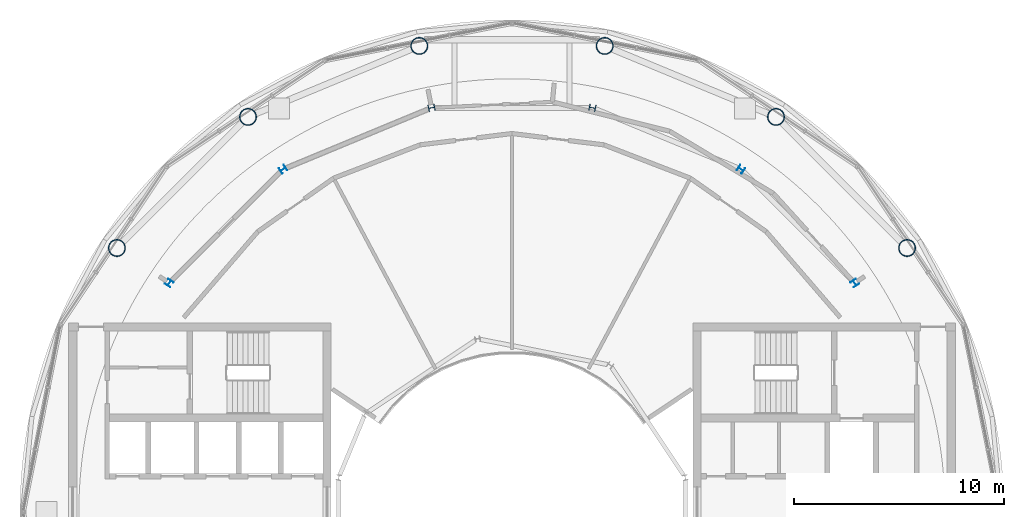
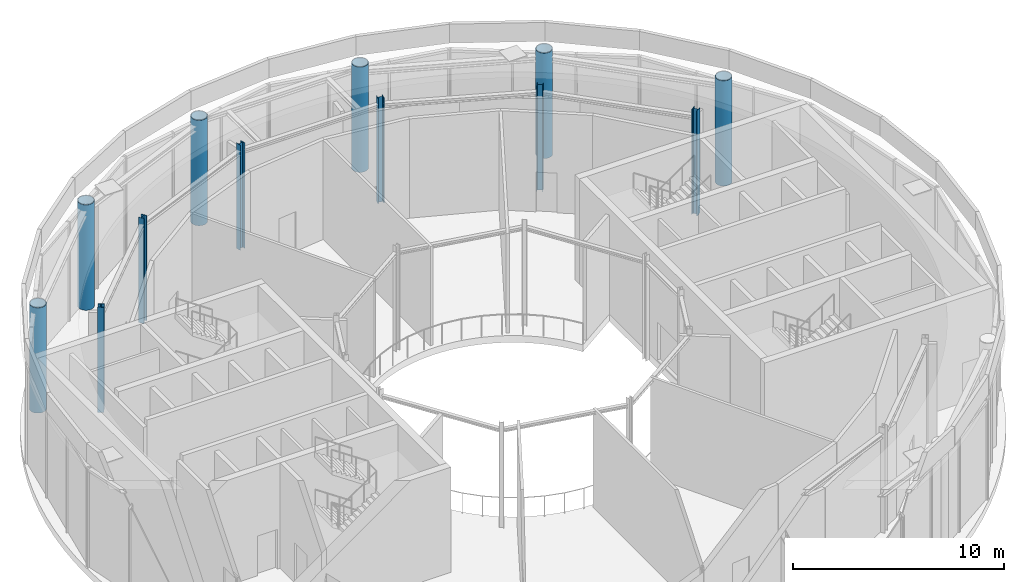
# One storey, part 4 of 20: 12 columns.
"""IFC4 building model written with IfcOpenShell, lengths in metres."""

from ifc_helpers import new_model, si_unit, direction, frame, origin, origin_2d, place, context, subcontext, project, spatial, hollow_circle, i_section, extrude, material, material_profile, profile_set, type_object, element, save


model = new_model("IFC4")

# Units and contexts
model_context = context("Model", 3, precision=1e-05, world=origin(), true_north=direction((0.0, 1.0)))
body_context = subcontext(model_context, "Body", "Model", "MODEL_VIEW")
ifc_project = project(units=[si_unit("LENGTHUNIT", "METRE"), si_unit("AREAUNIT", "SQUARE_METRE"), si_unit("VOLUMEUNIT", "CUBIC_METRE"), si_unit("PLANEANGLEUNIT", "RADIAN"), si_unit("MASSUNIT", "GRAM", prefix="KILO")], contexts=[model_context])

# Site, building, storey
site_placement = place(None, origin())
site = spatial("IfcSite", under=ifc_project, at=site_placement, CompositionType="ELEMENT")
building_placement = place(site_placement, origin())
building = spatial("IfcBuilding", under=site, at=building_placement, Name="Maasbend Ring Residences", CompositionType="ELEMENT")
storey_placement = place(building_placement, frame((0.0, 0.0, 255.39990234375)))
storey = spatial("IfcBuildingStorey", under=building, at=storey_placement, Name="L74", CompositionType="ELEMENT", Elevation=255.39990234375)

# Columns
ifc_material_1 = material(Name="Composite concrete-filled steel tube S460NH / C80/95", Category="concrete")
ifc_material_profile_1 = material_profile(ifc_material_1, hollow_circle(Radius=0.406494140625, WallThickness=0.030029296875, at=origin_2d()), Name="Composite tube column CHS 813x30")
ifc_profile_set_1 = profile_set([ifc_material_profile_1], Name="Composite concrete-filled steel tube S460NH / C80/95")
column_type_1 = type_object("IfcColumnType", Name="Composite tube column CHS 813x30", PredefinedType="COLUMN", material=ifc_profile_set_1)
for number, where, z_axis, x_axis, name in (
    (1, (18.791259765625, 12.555908203125, 0.0), (0.0, 0.0, 1.0), (1.0, 0.0, 0.0), "Outer column R2"),
    (2, (12.555908203125, 18.791259765625, 0.0), (0.0, 0.0, 1.0), (1.0, 0.0, 0.0), "Outer column R3"),
    (3, (4.408935546875, 22.165771484375, 0.0), (0.0, 0.0, 1.0), (1.0, 0.0, 0.0), "Outer column R4"),
    (4, (-4.408935546875, 22.165771484375, 0.0), (0.0, 0.0, 1.0), (1.0, 0.0, 0.0), "Outer column R5"),
    (5, (-12.555908203125, 18.791259765625, 0.0), (0.0, 0.0, 1.0), (1.0, 0.0, 0.0), "Outer column R6"),
    (6, (-18.791259765625, 12.555908203125, 0.0), (0.0, 0.0, 1.0), (1.0, 0.0, 0.0), "Outer column R7"),
):
    element("IfcColumn", number, at=place(storey_placement, frame(where, z_axis=z_axis, x_axis=x_axis)), inside=storey, type_object=column_type_1, Name=name, PredefinedType="COLUMN", context=body_context, shape_type="SweptSolid", body=[
        extrude(hollow_circle(Radius=0.406494140625, WallThickness=0.030029296875, at=origin_2d()), origin(), (0.0, 0.0, 1.0), 6.10009765625),
    ])
ifc_material_2 = material(Name="Steel S355J2", Category="steel")
ifc_material_profile_2 = material_profile(ifc_material_2, i_section(OverallWidth=0.300048828125, OverallDepth=0.300048828125, WebThickness=0.010986328125, FlangeThickness=0.01904296875, FilletRadius=0.027099609375, at=origin_2d()), Name="HEB 300")
ifc_profile_set_2 = profile_set([ifc_material_profile_2], Name="Steel S355J2")
column_type_2 = type_object("IfcColumnType", Name="Steel column HEB 300", PredefinedType="COLUMN", material=ifc_profile_set_2)
for number, where, z_axis, x_axis, name in (
    (7, (16.296875, 10.88916015625, 0.0), (0.0, 0.0, 1.0), (0.831469612303, 0.55557023302, 0.0), "Corridor ring column R2"),
    (8, (10.88916015625, 16.296875, 0.0), (0.0, 0.0, 1.0), (0.55557023302, 0.831469612303, 0.0), "Corridor ring column R3"),
    (9, (3.82373046875, 19.223388671875, 0.0), (0.0, 0.0, 1.0), (0.195090322016, 0.980785280403, 0.0), "Corridor ring column R4"),
    (10, (-3.82373046875, 19.223388671875, 0.0), (0.0, 0.0, 1.0), (-0.195090322016, 0.980785280403, 0.0), "Corridor ring column R5"),
    (11, (-10.88916015625, 16.296875, 0.0), (0.0, 0.0, 1.0), (-0.55557023302, 0.831469612303, 0.0), "Corridor ring column R6"),
    (12, (-16.296875, 10.88916015625, 0.0), (0.0, 0.0, 1.0), (-0.831469612303, 0.55557023302, 0.0), "Corridor ring column R7"),
):
    element("IfcColumn", number, at=place(storey_placement, frame(where, z_axis=z_axis, x_axis=x_axis)), inside=storey, type_object=column_type_2, Name=name, PredefinedType="COLUMN", context=body_context, shape_type="SweptSolid", body=[
        extrude(i_section(OverallWidth=0.300048828125, OverallDepth=0.300048828125, WebThickness=0.010986328125, FlangeThickness=0.01904296875, FilletRadius=0.027099609375, at=origin_2d()), origin(), (0.0, 0.0, 1.0), 6.10009765625),
    ])

save(model, "model.ifc")
